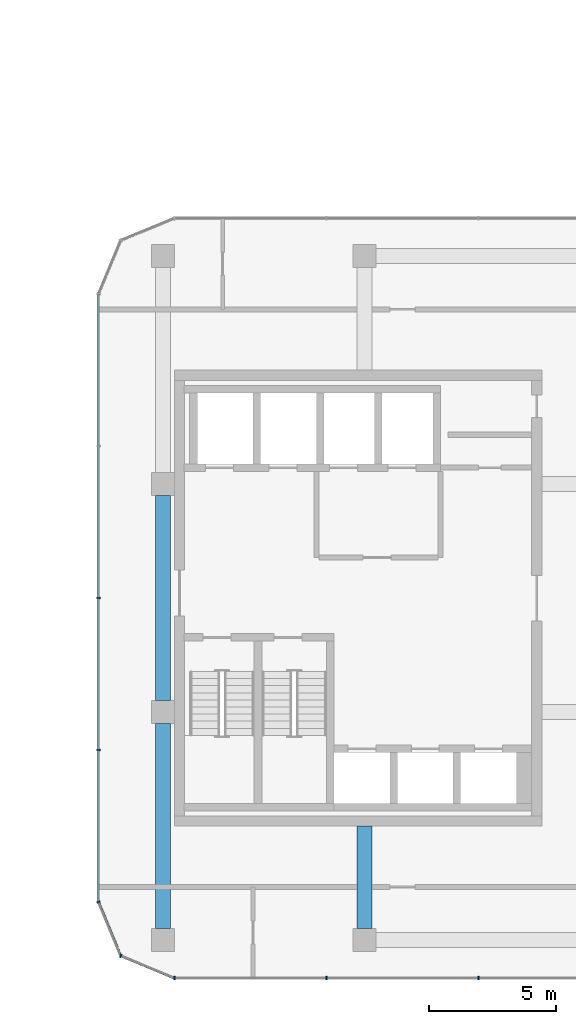
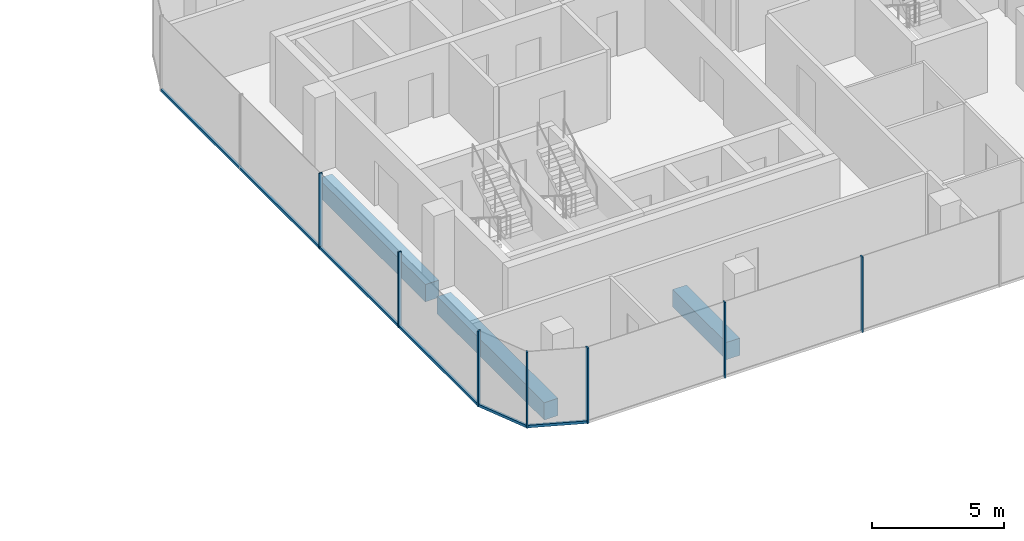
# One storey, part 7 of 22: 10 members, 3 beams, 4 elements without a shape of their own.
"""IFC4 building model written with IfcOpenShell, lengths in metres."""

from ifc_helpers import new_model, si_unit, direction, frame, origin, origin_2d, place, context, subcontext, project, spatial, rectangle, extrude, material, layer, layer_set, material_profile, profile_set, type_object, element, aggregate, save


model = new_model("IFC4")

# Units and contexts
model_context = context("Model", 3, precision=1e-05, world=origin(), true_north=direction((0.0, 1.0)))
body_context = subcontext(model_context, "Body", "Model", "MODEL_VIEW")
ifc_project = project(units=[si_unit("LENGTHUNIT", "METRE"), si_unit("AREAUNIT", "SQUARE_METRE"), si_unit("VOLUMEUNIT", "CUBIC_METRE"), si_unit("PLANEANGLEUNIT", "RADIAN"), si_unit("MASSUNIT", "GRAM", prefix="KILO")], contexts=[model_context])

# Site, building, storey
site_placement = place(None, origin())
site = spatial("IfcSite", under=ifc_project, at=site_placement, CompositionType="ELEMENT")
building_placement = place(site_placement, origin())
building = spatial("IfcBuilding", under=site, at=building_placement, Name="Plateau Cross Towers", CompositionType="ELEMENT")
storey_placement = place(building_placement, frame((0.0, 0.0, 102.800048828125)))
storey = spatial("IfcBuildingStorey", under=building, at=storey_placement, Name="L26", CompositionType="ELEMENT", Elevation=102.800048828125)

# Beam
ifc_material_1 = material(Name="Concrete C60/75", Category="concrete")
ifc_material_profile_1 = material_profile(ifc_material_1, rectangle(XDim=0.60009765625, YDim=0.800048828125, at=origin_2d()), Name="RC 600x800")
ifc_profile_set_1 = profile_set([ifc_material_profile_1], Name="Concrete C60/75")
beam_type_1 = type_object("IfcBeamType", Name="Core beam RC 600x800", PredefinedType="BEAM", material=ifc_profile_set_1)
beam_placement = place(storey_placement, frame((82.5, 0.0, -0.650146484375), z_axis=(0.0, -1.0, 0.0), x_axis=(1.0, 0.0, 0.0)))
element("IfcBeam", 1, at=beam_placement, inside=storey, type_object=beam_type_1, Name="B-CB01@L26", PredefinedType="BEAM", context=body_context, shape_type="SweptSolid", body=[
    extrude(rectangle(XDim=0.60009765625, YDim=0.800048828125, at=origin_2d()), origin(), (0.0, 0.0, 1.0), 4.050048828125),
])

# Curtain wall, members
ifc_material_2 = material(Name="Dark low-iron glass", Category="glass")
ifc_layer = layer(ifc_material_2, 0.239990234375)
ifc_layer_set = layer_set([ifc_layer], Name="Dark low-iron glass")
curtain_wall_type = type_object("IfcCurtainWallType", Name="Curtain wall office unitised CW-F", PredefinedType="NOTDEFINED", material=ifc_layer_set)
curtain_wall_1_placement = place(storey_placement, origin())
curtain_wall_1 = element("IfcCurtainWall", 2, at=curtain_wall_1_placement, inside=storey, type_object=curtain_wall_type, Name="ENV/B/L26/B750_-60", PredefinedType="NOTDEFINED")
ifc_material_3 = material(Name="Black anodised aluminium", Category="aluminium")
ifc_material_profile_2 = material_profile(ifc_material_3, rectangle(XDim=0.06005859375, YDim=0.139892578125, at=origin_2d()), Name="MULLION 60x140")
ifc_profile_set_2 = profile_set([ifc_material_profile_2], Name="Black anodised aluminium")
member_type_1 = type_object("IfcMemberType", Name="Mullion 60x140 office unitised", PredefinedType="MULLION", material=ifc_profile_set_2)
member_1_placement = place(storey_placement, frame((75.0, -6.0, -0.25), z_axis=(0.0, 0.0, 1.0), x_axis=(1.0, 0.0, 0.0)))
member_1 = element("IfcMember", 3, at=member_1_placement, type_object=member_type_1, Name="CW-F mullion 1", PredefinedType="MULLION", context=body_context, shape_type="SweptSolid", body=[
    extrude(rectangle(XDim=0.06005859375, YDim=0.139892578125, at=origin_2d()), origin(), (0.0, 0.0, 1.0), 3.5),
])
member_2_placement = place(storey_placement, frame((81.0, -6.0, -0.25), z_axis=(0.0, 0.0, 1.0), x_axis=(1.0, 0.0, 0.0)))
member_2 = element("IfcMember", 4, at=member_2_placement, type_object=member_type_1, Name="CW-F mullion 2", PredefinedType="MULLION", context=body_context, shape_type="SweptSolid", body=[
    extrude(rectangle(XDim=0.06005859375, YDim=0.139892578125, at=origin_2d()), origin(), (0.0, 0.0, 1.0), 3.5),
])
member_3_placement = place(storey_placement, frame((87.0, -6.0, -0.25), z_axis=(0.0, 0.0, 1.0), x_axis=(1.0, 0.0, 0.0)))
member_3 = element("IfcMember", 5, at=member_3_placement, type_object=member_type_1, Name="CW-F mullion 3", PredefinedType="MULLION", context=body_context, shape_type="SweptSolid", body=[
    extrude(rectangle(XDim=0.06005859375, YDim=0.139892578125, at=origin_2d()), origin(), (0.0, 0.0, 1.0), 3.5),
])
aggregate(curtain_wall_1, [member_1, member_2, member_3])

curtain_wall_2_placement = place(storey_placement, origin())
curtain_wall_2 = element("IfcCurtainWall", 6, at=curtain_wall_2_placement, inside=storey, type_object=curtain_wall_type, Name="ENV/B/L26/B720_210", PredefinedType="NOTDEFINED")
member_4_placement = place(storey_placement, frame((72.0, 9.0, -0.25), z_axis=(0.0, 0.0, 1.0), x_axis=(0.0, -1.0, 0.0)))
member_4 = element("IfcMember", 7, at=member_4_placement, type_object=member_type_1, Name="CW-F mullion 3", PredefinedType="MULLION", context=body_context, shape_type="SweptSolid", body=[
    extrude(rectangle(XDim=0.06005859375, YDim=0.139892578125, at=origin_2d()), origin(), (0.0, 0.0, 1.0), 3.5),
])
member_5_placement = place(storey_placement, frame((72.0, 3.0, -0.25), z_axis=(0.0, 0.0, 1.0), x_axis=(0.0, -1.0, 0.0)))
member_5 = element("IfcMember", 8, at=member_5_placement, type_object=member_type_1, Name="CW-F mullion 4", PredefinedType="MULLION", context=body_context, shape_type="SweptSolid", body=[
    extrude(rectangle(XDim=0.06005859375, YDim=0.139892578125, at=origin_2d()), origin(), (0.0, 0.0, 1.0), 3.5),
])

# Curtain wall, member
curtain_wall_3_placement = place(storey_placement, origin())
curtain_wall_3 = element("IfcCurtainWall", 9, at=curtain_wall_3_placement, inside=storey, type_object=curtain_wall_type, Name="ENV/B/L26/B720_-30", PredefinedType="NOTDEFINED")
member_6_placement = place(storey_placement, frame((72.0, -3.0, -0.25), z_axis=(0.0, 0.0, 1.0), x_axis=(0.382683612978, -0.923879457699, 0.0)))
member_6 = element("IfcMember", 10, at=member_6_placement, type_object=member_type_1, Name="CW-F mullion 1", PredefinedType="MULLION", context=body_context, shape_type="SweptSolid", body=[
    extrude(rectangle(XDim=0.06005859375, YDim=0.139892578125, at=origin_2d()), origin(), (0.0, 0.0, 1.0), 3.5),
])

curtain_wall_4_placement = place(storey_placement, origin())
curtain_wall_4 = element("IfcCurtainWall", 11, at=curtain_wall_4_placement, inside=storey, type_object=curtain_wall_type, Name="ENV/B/L26/B729_-51", PredefinedType="NOTDEFINED")
member_7_placement = place(storey_placement, frame((72.878662109375, -5.121337890625, -0.25), z_axis=(0.0, 0.0, 1.0), x_axis=(0.923879457699, -0.382683612978, 0.0)))
member_7 = element("IfcMember", 12, at=member_7_placement, type_object=member_type_1, Name="CW-F mullion 1", PredefinedType="MULLION", context=body_context, shape_type="SweptSolid", body=[
    extrude(rectangle(XDim=0.06005859375, YDim=0.139892578125, at=origin_2d()), origin(), (0.0, 0.0, 1.0), 3.5),
])

# Beams
ifc_material_profile_3 = material_profile(ifc_material_1, rectangle(XDim=0.60009765625, YDim=0.800048828125, at=origin_2d()), Name="RC 600x800")
ifc_profile_set_3 = profile_set([ifc_material_profile_3], Name="Concrete C60/75")
beam_type_2 = type_object("IfcBeamType", Name="Ring beam RC 600x800", PredefinedType="BEAM", material=ifc_profile_set_3)
for number, where, z_axis, x_axis, name in (
    (13, (74.550048828125, 13.050048828125, -0.650146484375), (0.0, -1.0, 0.0), (1.0, 0.0, 0.0), "B-RB09@L26"),
    (14, (74.550048828125, 4.050048828125, -0.650146484375), (0.0, -1.0, 0.0), (1.0, 0.0, 0.0), "B-RB10@L26"),
):
    element("IfcBeam", number, at=place(storey_placement, frame(where, z_axis=z_axis, x_axis=x_axis)), inside=storey, type_object=beam_type_2, Name=name, PredefinedType="BEAM", context=body_context, shape_type="SweptSolid", body=[
        extrude(rectangle(XDim=0.60009765625, YDim=0.800048828125, at=origin_2d()), origin(), (0.0, 0.0, 1.0), 8.10009765625),
    ])

# Member
ifc_material_profile_4 = material_profile(ifc_material_3, rectangle(XDim=0.10009765625, YDim=0.1201171875, at=origin_2d()), Name="TRANSOM 100x120")
ifc_profile_set_4 = profile_set([ifc_material_profile_4], Name="Black anodised aluminium")
member_type_2 = type_object("IfcMemberType", Name="Transom 100x120 office unitised", PredefinedType="USERDEFINED", material=ifc_profile_set_4)
member_8_placement = place(storey_placement, frame((72.0, 21.0, -0.18994140625), z_axis=(0.0, -1.0, 0.0), x_axis=(1.0, 0.0, 0.0)))
member_8 = element("IfcMember", 15, at=member_8_placement, type_object=member_type_2, Name="CW-F transom", ObjectType="TRANSOM", PredefinedType="USERDEFINED", context=body_context, shape_type="SweptSolid", body=[
    extrude(rectangle(XDim=0.10009765625, YDim=0.1201171875, at=origin_2d()), origin(), (0.0, 0.0, 1.0), 24.0),
])

aggregate(curtain_wall_2, [member_4, member_5, member_8])

member_9_placement = place(storey_placement, frame((72.0, -3.0, -0.18994140625), z_axis=(0.382674207535, -0.923883353507, 0.0), x_axis=(0.923883353507, 0.382674207535, 0.0)))
member_9 = element("IfcMember", 16, at=member_9_placement, type_object=member_type_2, Name="CW-F transom", ObjectType="TRANSOM", PredefinedType="USERDEFINED", context=body_context, shape_type="SweptSolid", body=[
    extrude(rectangle(XDim=0.10009765625, YDim=0.1201171875, at=origin_2d()), origin(), (0.0, 0.0, 1.0), 2.296142578125),
])

aggregate(curtain_wall_3, [member_6, member_9])

member_10_placement = place(storey_placement, frame((72.878662109375, -5.121337890625, -0.18994140625), z_axis=(0.923883353507, -0.382674207535, 0.0), x_axis=(0.382674207535, 0.923883353507, 0.0)))
member_10 = element("IfcMember", 17, at=member_10_placement, type_object=member_type_2, Name="CW-F transom", ObjectType="TRANSOM", PredefinedType="USERDEFINED", context=body_context, shape_type="SweptSolid", body=[
    extrude(rectangle(XDim=0.10009765625, YDim=0.1201171875, at=origin_2d()), origin(), (0.0, 0.0, 1.0), 2.296142578125),
])

aggregate(curtain_wall_4, [member_7, member_10])

save(model, "model.ifc")
